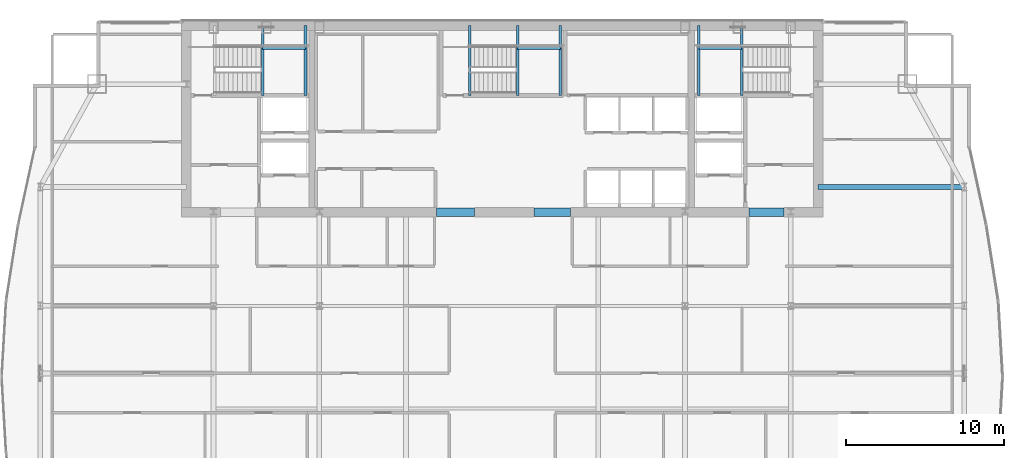
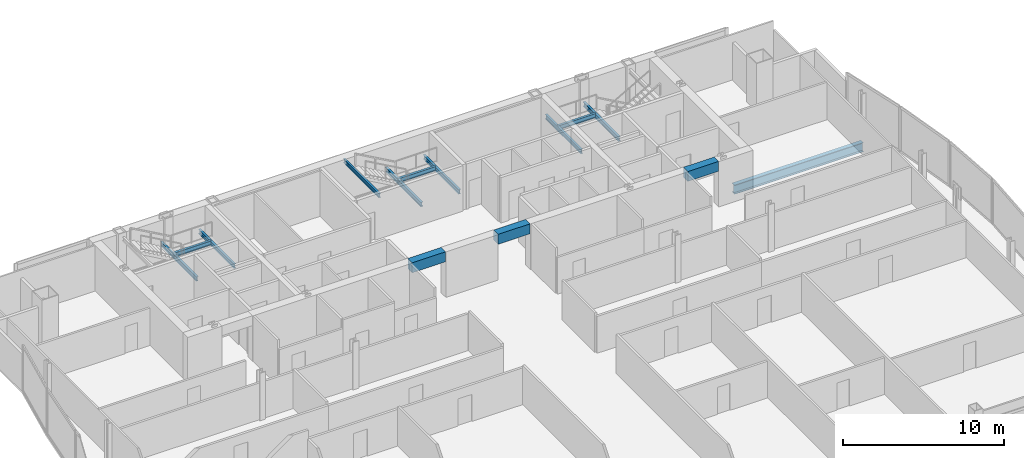
# One storey, part 22 of 30: 14 beams.
"""IFC4 building model written with IfcOpenShell, lengths in metres."""

from ifc_helpers import new_model, si_unit, direction, frame, origin, origin_2d, place, context, subcontext, project, spatial, rectangle, i_section, extrude, material, material_profile, profile_set, type_object, element, save


model = new_model("IFC4")

# Units and contexts
model_context = context("Model", 3, precision=1e-05, world=origin(), true_north=direction((0.0, 1.0)))
body_context = subcontext(model_context, "Body", "Model", "MODEL_VIEW")
ifc_project = project(units=[si_unit("LENGTHUNIT", "METRE"), si_unit("AREAUNIT", "SQUARE_METRE"), si_unit("VOLUMEUNIT", "CUBIC_METRE"), si_unit("PLANEANGLEUNIT", "RADIAN"), si_unit("MASSUNIT", "GRAM", prefix="KILO")], contexts=[model_context])

# Site, building, storey
site_placement = place(None, origin())
site = spatial("IfcSite", under=ifc_project, at=site_placement, CompositionType="ELEMENT")
building_placement = place(site_placement, origin())
building = spatial("IfcBuilding", under=site, at=building_placement, Name="Khoronbel Lancet Exchange", CompositionType="ELEMENT")
storey_placement = place(building_placement, frame((0.0, 0.0, 217.39990234375)))
storey = spatial("IfcBuildingStorey", under=building, at=storey_placement, Name="L55", CompositionType="ELEMENT", Elevation=217.39990234375)

# Beams
ifc_material_1 = material(Name="Steel S355", Category="steel")
ifc_material_profile_1 = material_profile(ifc_material_1, i_section(OverallWidth=0.300048828125, OverallDepth=0.699951171875, WebThickness=0.01708984375, FlangeThickness=0.031982421875, at=origin_2d()), Name="HEB 700")
ifc_profile_set_1 = profile_set([ifc_material_profile_1], Name="Steel S355")
beam_type_1 = type_object("IfcBeamType", Name="BM-BG3", PredefinedType="BEAM", material=ifc_profile_set_1)
beam_1_placement = place(storey_placement, frame((56.39990234375, 43.199951171875, -0.510009765625), z_axis=(1.0, 0.0, 0.0), x_axis=(0.0, 1.0, 0.0)))
element("IfcBeam", 1, at=beam_1_placement, inside=storey, type_object=beam_type_1, Name="Level L55 east lens tie girder LG3E", PredefinedType="BEAM", context=body_context, shape_type="SweptSolid", body=[
    extrude(i_section(OverallWidth=0.300048828125, OverallDepth=0.699951171875, WebThickness=0.01708984375, FlangeThickness=0.031982421875, at=origin_2d()), origin(), (0.0, 0.0, 1.0), 9.22998046875),
])
ifc_material_profile_2 = material_profile(ifc_material_1, i_section(OverallWidth=0.159912109375, OverallDepth=0.330078125, WebThickness=0.007568359375, FlangeThickness=0.011474609375, at=origin_2d()), Name="IPE 330")
ifc_profile_set_2 = profile_set([ifc_material_profile_2], Name="Steel S355")
beam_type_2 = type_object("IfcBeamType", Name="BM-BJ7", PredefinedType="JOIST", material=ifc_profile_set_2)
for number, where, z_axis, x_axis, name in (
    (2, (21.320068359375, 48.97998046875, 1.43505859375), (0.0, 1.0, 0.0), (-1.0, 0.0, 0.0), "Level L55 stair ST1 landing bearer beam 1"),
    (3, (24.030029296875, 48.97998046875, 1.43505859375), (0.0, 1.0, 0.0), (-1.0, 0.0, 0.0), "Level L55 stair ST1 rear landing bearer beam 1"),
):
    element("IfcBeam", number, at=place(storey_placement, frame(where, z_axis=z_axis, x_axis=x_axis)), inside=storey, type_object=beam_type_2, Name=name, PredefinedType="JOIST", context=body_context, shape_type="SweptSolid", body=[
        extrude(i_section(OverallWidth=0.159912109375, OverallDepth=0.330078125, WebThickness=0.007568359375, FlangeThickness=0.011474609375, at=origin_2d()), origin(), (0.0, 0.0, 1.0), 4.419921875),
    ])
beam_2_placement = place(storey_placement, frame((21.320068359375, 51.97998046875, 1.43505859375), z_axis=(1.0, 0.0, 0.0), x_axis=(0.0, 1.0, 0.0)))
element("IfcBeam", 4, at=beam_2_placement, inside=storey, type_object=beam_type_2, Name="Level L55 stair ST1 landing cross trimmer beam 1", PredefinedType="JOIST", context=body_context, shape_type="SweptSolid", body=[
    extrude(i_section(OverallWidth=0.159912109375, OverallDepth=0.330078125, WebThickness=0.007568359375, FlangeThickness=0.011474609375, at=origin_2d()), origin(), (0.0, 0.0, 1.0), 2.7099609375),
])
for number, where, z_axis, x_axis, name in (
    (5, (51.580078125, 48.97998046875, 1.43505859375), (0.0, 1.0, 0.0), (-1.0, 0.0, 0.0), "Level L55 stair ST2 landing bearer beam 1"),
    (6, (48.8701171875, 48.97998046875, 1.43505859375), (0.0, 1.0, 0.0), (-1.0, 0.0, 0.0), "Level L55 stair ST2 rear landing bearer beam 1"),
):
    element("IfcBeam", number, at=place(storey_placement, frame(where, z_axis=z_axis, x_axis=x_axis)), inside=storey, type_object=beam_type_2, Name=name, PredefinedType="JOIST", context=body_context, shape_type="SweptSolid", body=[
        extrude(i_section(OverallWidth=0.159912109375, OverallDepth=0.330078125, WebThickness=0.007568359375, FlangeThickness=0.011474609375, at=origin_2d()), origin(), (0.0, 0.0, 1.0), 4.419921875),
    ])
beam_3_placement = place(storey_placement, frame((48.8701171875, 51.97998046875, 1.43505859375), z_axis=(1.0, 0.0, 0.0), x_axis=(0.0, 1.0, 0.0)))
element("IfcBeam", 7, at=beam_3_placement, inside=storey, type_object=beam_type_2, Name="Level L55 stair ST2 landing cross trimmer beam 1", PredefinedType="JOIST", context=body_context, shape_type="SweptSolid", body=[
    extrude(i_section(OverallWidth=0.159912109375, OverallDepth=0.330078125, WebThickness=0.007568359375, FlangeThickness=0.011474609375, at=origin_2d()), origin(), (0.0, 0.0, 1.0), 2.7099609375),
])
for number, where, z_axis, x_axis, name in (
    (8, (37.419921875, 48.97998046875, 1.43505859375), (0.0, 1.0, 0.0), (-1.0, 0.0, 0.0), "Level L55 stair ST3 landing bearer beam 1"),
    (9, (40.1298828125, 48.97998046875, 1.43505859375), (0.0, 1.0, 0.0), (-1.0, 0.0, 0.0), "Level L55 stair ST3 rear landing bearer beam 1"),
):
    element("IfcBeam", number, at=place(storey_placement, frame(where, z_axis=z_axis, x_axis=x_axis)), inside=storey, type_object=beam_type_2, Name=name, PredefinedType="JOIST", context=body_context, shape_type="SweptSolid", body=[
        extrude(i_section(OverallWidth=0.159912109375, OverallDepth=0.330078125, WebThickness=0.007568359375, FlangeThickness=0.011474609375, at=origin_2d()), origin(), (0.0, 0.0, 1.0), 4.419921875),
    ])
beam_4_placement = place(storey_placement, frame((37.419921875, 51.97998046875, 1.43505859375), z_axis=(1.0, 0.0, 0.0), x_axis=(0.0, 1.0, 0.0)))
element("IfcBeam", 10, at=beam_4_placement, inside=storey, type_object=beam_type_2, Name="Level L55 stair ST3 landing cross trimmer beam 1", PredefinedType="JOIST", context=body_context, shape_type="SweptSolid", body=[
    extrude(i_section(OverallWidth=0.159912109375, OverallDepth=0.330078125, WebThickness=0.007568359375, FlangeThickness=0.011474609375, at=origin_2d()), origin(), (0.0, 0.0, 1.0), 2.7099609375),
])
ifc_material_profile_3 = material_profile(ifc_material_1, i_section(OverallWidth=0.14990234375, OverallDepth=0.300048828125, WebThickness=0.007080078125, FlangeThickness=0.0107421875, at=origin_2d()), Name="IPE 300")
ifc_profile_set_3 = profile_set([ifc_material_profile_3], Name="Steel S355")
beam_type_3 = type_object("IfcBeamType", Name="BM-BJ8", PredefinedType="JOIST", material=ifc_profile_set_3)
beam_5_placement = place(storey_placement, frame((34.39990234375, 48.97998046875, 3.16015625), z_axis=(0.0, 1.0, 0.0), x_axis=(-1.0, 0.0, 0.0)))
element("IfcBeam", 11, at=beam_5_placement, inside=storey, type_object=beam_type_3, Name="Level L55 stair ST3 upper-flight arrival trimmer beam", PredefinedType="JOIST", context=body_context, shape_type="SweptSolid", body=[
    extrude(i_section(OverallWidth=0.14990234375, OverallDepth=0.300048828125, WebThickness=0.007080078125, FlangeThickness=0.0107421875, at=origin_2d()), origin(), (0.0, 0.0, 1.0), 4.419921875),
])
ifc_material_2 = material(Name="Concrete C60/75", Category="concrete")
ifc_material_profile_4 = material_profile(ifc_material_2, rectangle(XDim=0.550048828125, YDim=0.75, at=origin_2d()), Name="RC 550x750")
ifc_profile_set_4 = profile_set([ifc_material_profile_4], Name="Concrete C60/75")
beam_type_4 = type_object("IfcBeamType", Name="BM-BL2", PredefinedType="LINTEL", material=ifc_profile_set_4)
beam_6_placement = place(storey_placement, frame((32.300048828125, 41.60009765625, 3.065185546875), z_axis=(1.0, 0.0, 0.0), x_axis=(0.0, 1.0, 0.0)))
element("IfcBeam", 12, at=beam_6_placement, inside=storey, type_object=beam_type_4, Name="Level L55 rear core coupling lintel L2", PredefinedType="LINTEL", context=body_context, shape_type="SweptSolid", body=[
    extrude(rectangle(XDim=0.550048828125, YDim=0.75, at=origin_2d()), origin(), (0.0, 0.0, 1.0), 2.39990234375),
])
beam_7_placement = place(storey_placement, frame((38.449951171875, 41.60009765625, 3.065185546875), z_axis=(1.0, 0.0, 0.0), x_axis=(0.0, 1.0, 0.0)))
element("IfcBeam", 13, at=beam_7_placement, inside=storey, type_object=beam_type_4, Name="Level L55 rear core coupling lintel L3", PredefinedType="LINTEL", context=body_context, shape_type="SweptSolid", body=[
    extrude(rectangle(XDim=0.550048828125, YDim=0.75, at=origin_2d()), origin(), (0.0, 0.0, 1.0), 2.300048828125),
])
beam_8_placement = place(storey_placement, frame((52.050048828125, 41.60009765625, 3.065185546875), z_axis=(1.0, 0.0, 0.0), x_axis=(0.0, 1.0, 0.0)))
element("IfcBeam", 14, at=beam_8_placement, inside=storey, type_object=beam_type_4, Name="Level L55 rear core coupling lintel L4", PredefinedType="LINTEL", context=body_context, shape_type="SweptSolid", body=[
    extrude(rectangle(XDim=0.550048828125, YDim=0.75, at=origin_2d()), origin(), (0.0, 0.0, 1.0), 2.199951171875),
])

save(model, "model.ifc")
